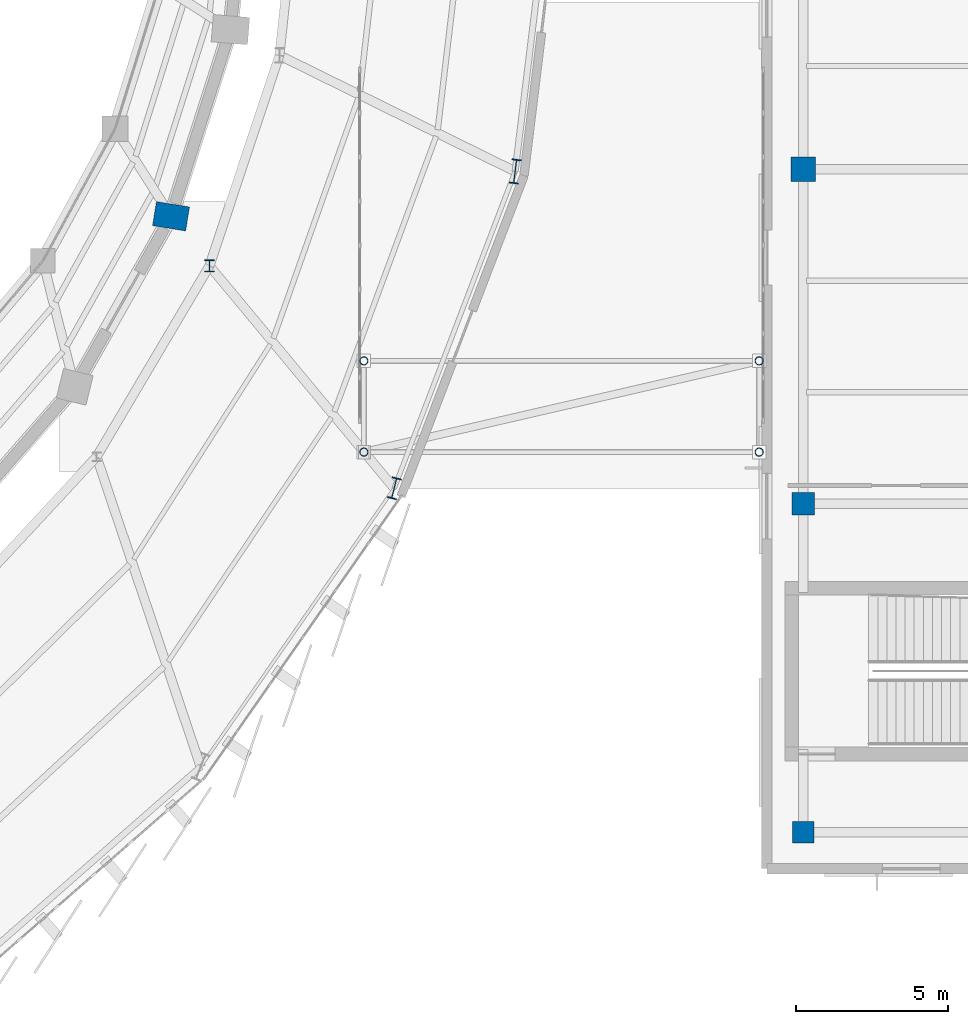
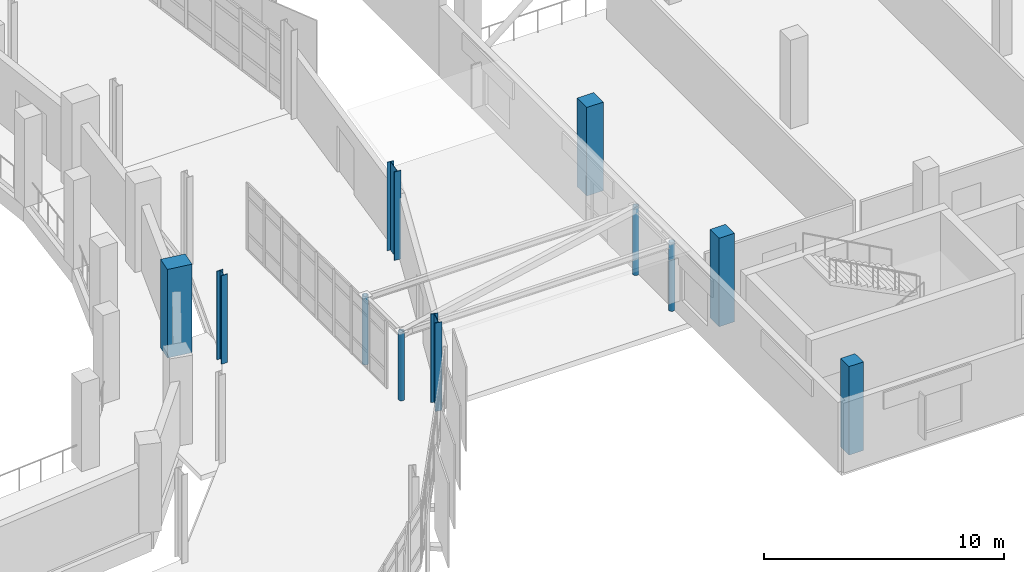
# One storey, part 20 of 125: 11 columns.
"""IFC4 building model written with IfcOpenShell, lengths in metres."""

import ifcopenshell
import ifcopenshell.guid

model = None  # the IFC model being written
_history = None  # IfcOwnerHistory: only IFC2X3 demands one
_inside = {}  # id of a spatial element -> (the spatial element, [elements in it])
_under = {}  # id of a project, library or spatial element -> (it, [spatial elements below it])
_declared = {}  # id of a project -> (the project, [libraries it declares])
_typed = {}  # id of a type object -> (the type object, [elements of that type])
_made_of = {}  # id of a material, layer set ... -> (it, [elements and type objects made of it])


def new_model(schema):
    """Start an empty IFC model of exactly this schema.

    Asked for "IFC4X3", IfcOpenShell would pick the latest addendum, in which some entities
    have other attributes; the version numbers below select the first issue.
    IFC2X3 requires an IfcOwnerHistory on every rooted entity: one is made here for all.
    """
    global model, _history
    if schema == "IFC4X3":
        model = ifcopenshell.file(schema_version=(4, 3, 0, 0))
    else:
        model = ifcopenshell.file(schema=schema)
    _inside.clear()
    _under.clear()
    _declared.clear()
    _typed.clear()
    _made_of.clear()
    _history = None
    if model.schema == "IFC2X3":
        org = make("IfcOrganization", Name="unknown")
        user = make(
            "IfcPersonAndOrganization",
            ThePerson=make("IfcPerson", FamilyName="unknown"),
            TheOrganization=org,
        )
        app = make(
            "IfcApplication",
            ApplicationDeveloper=org,
            Version="unknown",
            ApplicationFullName="unknown",
            ApplicationIdentifier="unknown",
        )
        _history = make(
            "IfcOwnerHistory",
            OwningUser=user,
            OwningApplication=app,
            ChangeAction="ADDED",
            CreationDate=0,
        )
    return model


def make(cls, **values):
    """One entity of the class cls with the attributes given. An attribute that is None is left unset."""
    return model.create_entity(
        cls, **{name: value for name, value in values.items() if value is not None}
    )


def rooted(cls, **values):
    """An entity with a GlobalId (a new one), such as an element, a storey or a relation."""
    return make(cls, GlobalId=ifcopenshell.guid.new(), OwnerHistory=_history, **values)


def si_unit(unit_type, name, prefix=None):
    """IfcSIUnit, for example si_unit("LENGTHUNIT", "METRE", prefix="MILLI")."""
    return make("IfcSIUnit", UnitType=unit_type, Prefix=prefix, Name=name)


def assignment(units):
    """IfcUnitAssignment: the units of a project."""
    return None if units is None else make("IfcUnitAssignment", Units=units)


def point(xyz):
    """IfcCartesianPoint."""
    return None if xyz is None else make("IfcCartesianPoint", Coordinates=xyz)


def direction(xyz):
    """IfcDirection."""
    return None if xyz is None else make("IfcDirection", DirectionRatios=xyz)


def frame(location, z_axis=None, x_axis=None):
    """IfcAxis2Placement3D, a coordinate frame: its origin and axes. An axis left out is left unset."""
    return make(
        "IfcAxis2Placement3D",
        Location=point(location),
        Axis=direction(z_axis),
        RefDirection=direction(x_axis),
    )


def frame_2d(location, x_axis=None):
    """IfcAxis2Placement2D, a coordinate frame in the plane: its origin and x axis."""
    return make(
        "IfcAxis2Placement2D", Location=point(location), RefDirection=direction(x_axis)
    )


def origin():
    """The frame at (0, 0, 0) with its axes left unset."""
    return frame((0.0, 0.0, 0.0))


def origin_2d():
    """The frame at (0, 0) in the plane with its x axis left unset."""
    return frame_2d((0.0, 0.0))


def place(relative_to, where):
    """IfcLocalPlacement: puts the frame where relative to a parent placement (None: the world)."""
    return make(
        "IfcLocalPlacement", PlacementRelTo=relative_to, RelativePlacement=where
    )


def context(
    kind, dimensions, precision=None, world=None, true_north=None, identifier=None
):
    """IfcGeometricRepresentationContext, for example the 3D "Model" context."""
    return make(
        "IfcGeometricRepresentationContext",
        ContextIdentifier=identifier,
        ContextType=kind,
        CoordinateSpaceDimension=dimensions,
        Precision=precision,
        WorldCoordinateSystem=world,
        TrueNorth=true_north,
    )


def subcontext(parent, identifier, kind, view, scale=None):
    """IfcGeometricRepresentationSubContext, for example "Body" below "Model"."""
    return make(
        "IfcGeometricRepresentationSubContext",
        ContextIdentifier=identifier,
        ContextType=kind,
        ParentContext=parent,
        TargetScale=scale,
        TargetView=view,
    )


def project(units=None, contexts=None):
    """IfcProject with its units and contexts."""
    return rooted(
        "IfcProject",
        Name="project",
        RepresentationContexts=contexts,
        UnitsInContext=assignment(units),
    )


def spatial(cls, under=None, at=None, **own):
    """A site, building, storey or space (cls), placed at a placement, below another one or the project."""
    s = rooted(cls, ObjectPlacement=at, **own)
    if under is not None:
        _under.setdefault(under.id(), (under, []))[1].append(s)
    return s


def profile(cls, at=None, kind="AREA", **sizes):
    """A parametric profile (cls). Its sizes go by their IFC names, for example OverallWidth=200.0."""
    return make(cls, ProfileType=kind, Position=at, **sizes)


def rectangle(**sizes):
    """IfcRectangleProfileDef."""
    return profile("IfcRectangleProfileDef", **sizes)


def hollow_circle(**sizes):
    """IfcCircleHollowProfileDef."""
    return profile("IfcCircleHollowProfileDef", **sizes)


def i_section(**sizes):
    """IfcIShapeProfileDef."""
    return profile("IfcIShapeProfileDef", **sizes)


def extrude(swept, where, along, depth):
    """IfcExtrudedAreaSolid: the profile swept, set in the frame where, extruded along a direction by depth."""
    return make(
        "IfcExtrudedAreaSolid",
        SweptArea=swept,
        Position=where,
        ExtrudedDirection=direction(along),
        Depth=depth,
    )


def shape(context_of_items, identifier, shape_type, items):
    """IfcShapeRepresentation: the items that make up one representation, for example the "Body"."""
    return make(
        "IfcShapeRepresentation",
        ContextOfItems=context_of_items,
        RepresentationIdentifier=identifier,
        RepresentationType=shape_type,
        Items=items,
    )


def material(Name=None, Category=None):
    """IfcMaterial."""
    return make("IfcMaterial", Name=Name, Category=Category)


def material_profile(
    of_material, cross_section, Name=None, Category=None, Priority=None
):
    """IfcMaterialProfile: a cross section and its material."""
    return make(
        "IfcMaterialProfile",
        Name=Name,
        Material=of_material,
        Profile=cross_section,
        Priority=Priority,
        Category=Category,
    )


def profile_set(profiles, Name=None, composite=None):
    """IfcMaterialProfileSet."""
    return make(
        "IfcMaterialProfileSet",
        Name=Name,
        MaterialProfiles=profiles,
        CompositeProfile=composite,
    )


def made_of(thing, what):
    """Note that an element or type object is made of a material, layer set ...; save() writes the relation."""
    if what is not None:
        _made_of.setdefault(what.id(), (what, []))[1].append(thing)
    return thing


def type_object(cls, material=None, **own):
    """A type object (cls), such as IfcWallType, which elements share."""
    return made_of(rooted(cls, **own), material)


def element(
    cls,
    number,
    at=None,
    inside=None,
    cuts=None,
    type_object=None,
    material=None,
    context=None,
    identifier="Body",
    shape_type=None,
    held_by="IfcProductDefinitionShape",
    body=None,
    shapes=None,
    **own,
):
    """One element of the class cls, such as IfcWall. Its Tag is "e" and its number.

    at: its placement. inside: the storey or other place that contains it. cuts: it is an
    opening in that element (IfcRelVoidsElement). A single representation is given by context,
    identifier, shape_type and body (its items); several are given by shapes. held_by: the class
    of the entity that holds the representations. save() writes the other relations.
    """
    e = rooted(cls, Tag="e%d" % number, ObjectPlacement=at, **own)
    if body is not None:
        shapes = [shape(context, identifier, shape_type, body)]
    if shapes is not None:
        e.Representation = make(held_by, Representations=shapes)
    if inside is not None:
        _inside.setdefault(inside.id(), (inside, []))[1].append(e)
    if cuts is not None:
        rooted(
            "IfcRelVoidsElement", RelatingBuildingElement=cuts, RelatedOpeningElement=e
        )
    if type_object is not None:
        _typed.setdefault(type_object.id(), (type_object, []))[1].append(e)
    return made_of(e, material)


def aggregate(whole, parts):
    """IfcRelAggregates: a whole, such as a stair, and the parts it consists of."""
    return rooted("IfcRelAggregates", RelatingObject=whole, RelatedObjects=parts)


def save(model, path):
    """Write the relations noted so far, then the file.

    IfcRelAggregates (storeys below a building ...), IfcRelContainedInSpatialStructure (elements
    in a storey), IfcRelDefinesByType, IfcRelAssociatesMaterial and IfcRelDeclares: one each for
    every whole, place, type object, material and project.
    """
    for whole, parts in _under.values():
        aggregate(whole, parts)
    for where, things in _inside.values():
        rooted(
            "IfcRelContainedInSpatialStructure",
            RelatedElements=things,
            RelatingStructure=where,
        )
    for kind, things in _typed.values():
        rooted("IfcRelDefinesByType", RelatedObjects=things, RelatingType=kind)
    for what, things in _made_of.values():
        rooted("IfcRelAssociatesMaterial", RelatedObjects=things, RelatingMaterial=what)
    for by, libraries in _declared.values():
        rooted("IfcRelDeclares", RelatingContext=by, RelatedDefinitions=libraries)
    model.write(path)


model = new_model("IFC4")

# Units and contexts
model_context = context("Model", 3, precision=1e-05, world=origin(), true_north=direction((0.0, 1.0)))
body_context = subcontext(model_context, "Body", "Model", "MODEL_VIEW")
ifc_project = project(units=[si_unit("LENGTHUNIT", "METRE"), si_unit("AREAUNIT", "SQUARE_METRE"), si_unit("VOLUMEUNIT", "CUBIC_METRE"), si_unit("PLANEANGLEUNIT", "RADIAN"), si_unit("MASSUNIT", "GRAM", prefix="KILO")], contexts=[model_context])

# Site, building, storey
site_placement = place(None, origin())
site = spatial("IfcSite", under=ifc_project, at=site_placement, CompositionType="ELEMENT")
building_placement = place(site_placement, origin())
building = spatial("IfcBuilding", under=site, at=building_placement, Name="Sohan Crest Arena", CompositionType="ELEMENT")
storey_placement = place(building_placement, frame((0.0, 0.0, 9.0)))
storey = spatial("IfcBuildingStorey", under=building, at=storey_placement, Name="L02", CompositionType="ELEMENT", Elevation=9.0)

# Columns
ifc_material_1 = material(Name="Concrete C40/50", Category="concrete")
ifc_material_profile_1 = material_profile(ifc_material_1, rectangle(XDim=0.699951171875, YDim=0.699951171875, at=origin_2d()), Name="RC 700x700")
ifc_profile_set_1 = profile_set([ifc_material_profile_1], Name="Concrete C40/50")
column_type_1 = type_object("IfcColumnType", Name="STR-COL-C03", PredefinedType="COLUMN", material=ifc_profile_set_1)
column_1_placement = place(storey_placement, frame((196.199951171875, 45.199951171875, 0.0), z_axis=(0.0, 0.0, 1.0), x_axis=(1.0, 0.0, 0.0)))
element("IfcColumn", 1, at=column_1_placement, inside=storey, type_object=column_type_1, Name="Structural column COL-V4S-11-L02", PredefinedType="COLUMN", context=body_context, shape_type="SweptSolid", body=[
    extrude(rectangle(XDim=0.699951171875, YDim=0.699951171875, at=origin_2d()), origin(), (0.0, 0.0, 1.0), 4.5),
])
ifc_material_profile_2 = material_profile(ifc_material_1, rectangle(XDim=0.75, YDim=0.75, at=origin_2d()), Name="RC 750x750")
ifc_profile_set_2 = profile_set([ifc_material_profile_2], Name="Concrete C40/50")
column_type_2 = type_object("IfcColumnType", Name="STR-COL-C04", PredefinedType="COLUMN", material=ifc_profile_set_2)
column_2_placement = place(storey_placement, frame((196.199951171875, 56.0, 0.0), z_axis=(0.0, 0.0, 1.0), x_axis=(1.0, 0.0, 0.0)))
element("IfcColumn", 2, at=column_2_placement, inside=storey, type_object=column_type_2, Name="Structural column COL-V4S-12-L02", PredefinedType="COLUMN", context=body_context, shape_type="SweptSolid", body=[
    extrude(rectangle(XDim=0.75, YDim=0.75, at=origin_2d()), origin(), (0.0, 0.0, 1.0), 4.5),
])
ifc_material_profile_3 = material_profile(ifc_material_1, rectangle(XDim=0.800048828125, YDim=0.800048828125, at=origin_2d()), Name="RC 800x800")
ifc_profile_set_3 = profile_set([ifc_material_profile_3], Name="Concrete C40/50")
column_type_3 = type_object("IfcColumnType", Name="STR-COL-C05", PredefinedType="COLUMN", material=ifc_profile_set_3)
column_3_placement = place(storey_placement, frame((196.199951171875, 67.0, 0.0), z_axis=(0.0, 0.0, 1.0), x_axis=(1.0, 0.0, 0.0)))
element("IfcColumn", 3, at=column_3_placement, inside=storey, type_object=column_type_3, Name="Structural column COL-V4S-13-L02", PredefinedType="COLUMN", context=body_context, shape_type="SweptSolid", body=[
    extrude(rectangle(XDim=0.800048828125, YDim=0.800048828125, at=origin_2d()), origin(), (0.0, 0.0, 1.0), 4.5),
])
ifc_material_profile_4 = material_profile(ifc_material_1, rectangle(XDim=1.10009765625, YDim=0.800048828125, at=origin_2d()), Name="RC 1100x800")
ifc_profile_set_4 = profile_set([ifc_material_profile_4], Name="Concrete C40/50")
column_type_4 = type_object("IfcColumnType", Name="STR-COL-C10", PredefinedType="COLUMN", material=ifc_profile_set_4)
column_4_placement = place(storey_placement, frame((175.408935546875, 65.455078125, 0.0), z_axis=(0.0, 0.0, 1.0), x_axis=(-0.987136265073, 0.159881187692, 0.0)))
element("IfcColumn", 4, at=column_4_placement, inside=storey, type_object=column_type_4, Name="Structural column COL-V1R-22-L02", PredefinedType="COLUMN", context=body_context, shape_type="SweptSolid", body=[
    extrude(rectangle(XDim=1.10009765625, YDim=0.800048828125, at=origin_2d()), origin(), (0.0, 0.0, 1.0), 4.5),
])
ifc_material_2 = material(Name="Steel S355", Category="steel")
ifc_material_profile_5 = material_profile(ifc_material_2, i_section(OverallWidth=0.300048828125, OverallDepth=0.39990234375, WebThickness=0.013427734375, FlangeThickness=0.02392578125, at=origin_2d()), Name="HEB 400")
ifc_profile_set_5 = profile_set([ifc_material_profile_5], Name="Steel S355")
column_type_5 = type_object("IfcColumnType", Name="STR-COL-C18", PredefinedType="COLUMN", material=ifc_profile_set_5)
column_5_placement = place(storey_placement, frame((176.674072265625, 63.824951171875, 0.0), z_axis=(0.0, 0.0, 1.0), x_axis=(1.0, 0.0, 0.0)))
element("IfcColumn", 5, at=column_5_placement, inside=storey, type_object=column_type_5, Name="Structural column COL-V2I-22-L02", PredefinedType="COLUMN", context=body_context, shape_type="SweptSolid", body=[
    extrude(i_section(OverallWidth=0.300048828125, OverallDepth=0.39990234375, WebThickness=0.013427734375, FlangeThickness=0.02392578125, at=origin_2d()), origin(), (0.0, 0.0, 1.0), 4.5),
])
ifc_material_profile_6 = material_profile(ifc_material_2, i_section(OverallWidth=0.300048828125, OverallDepth=0.699951171875, WebThickness=0.01708984375, FlangeThickness=0.031982421875, at=origin_2d()), Name="HEB 700")
ifc_profile_set_6 = profile_set([ifc_material_profile_6], Name="Steel S355")
column_type_6 = type_object("IfcColumnType", Name="STR-COL-C21", PredefinedType="COLUMN", material=ifc_profile_set_6)
column_6_placement = place(storey_placement, frame((182.7490234375, 56.510986328125, 0.0), z_axis=(0.0, 0.0, 1.0), x_axis=(-0.969445349895, 0.245307385879, 0.0)))
element("IfcColumn", 6, at=column_6_placement, inside=storey, type_object=column_type_6, Name="Structural column COL-V2O-22-L02", PredefinedType="COLUMN", context=body_context, shape_type="SweptSolid", body=[
    extrude(i_section(OverallWidth=0.300048828125, OverallDepth=0.699951171875, WebThickness=0.01708984375, FlangeThickness=0.031982421875, at=origin_2d()), origin(), (0.0, 0.0, 1.0), 4.5),
])
ifc_material_profile_7 = material_profile(ifc_material_2, i_section(OverallWidth=0.300048828125, OverallDepth=0.800048828125, WebThickness=0.017578125, FlangeThickness=0.032958984375, at=origin_2d()), Name="HEB 800")
ifc_profile_set_7 = profile_set([ifc_material_profile_7], Name="Steel S355")
column_type_7 = type_object("IfcColumnType", Name="STR-COL-C22", PredefinedType="COLUMN", material=ifc_profile_set_7)
column_7_placement = place(storey_placement, frame((186.72509765625, 66.929931640625, 0.0), z_axis=(0.0, 0.0, 1.0), x_axis=(-0.992331937885, 0.12360147674, 0.0)))
element("IfcColumn", 7, at=column_7_placement, inside=storey, type_object=column_type_7, Name="Structural column COL-V2O-23-L02", PredefinedType="COLUMN", context=body_context, shape_type="SweptSolid", body=[
    extrude(i_section(OverallWidth=0.300048828125, OverallDepth=0.800048828125, WebThickness=0.017578125, FlangeThickness=0.032958984375, at=origin_2d()), origin(), (0.0, 0.0, 1.0), 4.5),
])
ifc_material_profile_8 = material_profile(ifc_material_2, hollow_circle(Radius=0.136474609375, WallThickness=0.012451171875, at=origin_2d()), Name="CHS 273x12.5")
ifc_profile_set_8 = profile_set([ifc_material_profile_8], Name="Steel S355")
column_type_8 = type_object("IfcColumnType", Name="STR-COL-C25", PredefinedType="COLUMN", material=ifc_profile_set_8)
for number, where, z_axis, x_axis, name in (
    (8, (181.75, 57.699951171875, 0.0), (0.0, 0.0, 1.0), (1.0, 0.0, 0.0), "Structural column COL-BC-BR-E1-1-L02"),
    (9, (181.75, 60.699951171875, 0.0), (0.0, 0.0, 1.0), (1.0, 0.0, 0.0), "Structural column COL-BC-BR-E1-2-L02"),
    (10, (194.75, 57.699951171875, 0.0), (0.0, 0.0, 1.0), (1.0, 0.0, 0.0), "Structural column COL-BC-BR-E1-3-L02"),
    (11, (194.75, 60.699951171875, 0.0), (0.0, 0.0, 1.0), (1.0, 0.0, 0.0), "Structural column COL-BC-BR-E1-4-L02"),
):
    element("IfcColumn", number, at=place(storey_placement, frame(where, z_axis=z_axis, x_axis=x_axis)), inside=storey, type_object=column_type_8, Name=name, PredefinedType="COLUMN", context=body_context, shape_type="SweptSolid", body=[
        extrude(hollow_circle(Radius=0.136474609375, WallThickness=0.012451171875, at=origin_2d()), origin(), (0.0, 0.0, 1.0), 3.47509765625),
    ])

save(model, "model.ifc")
